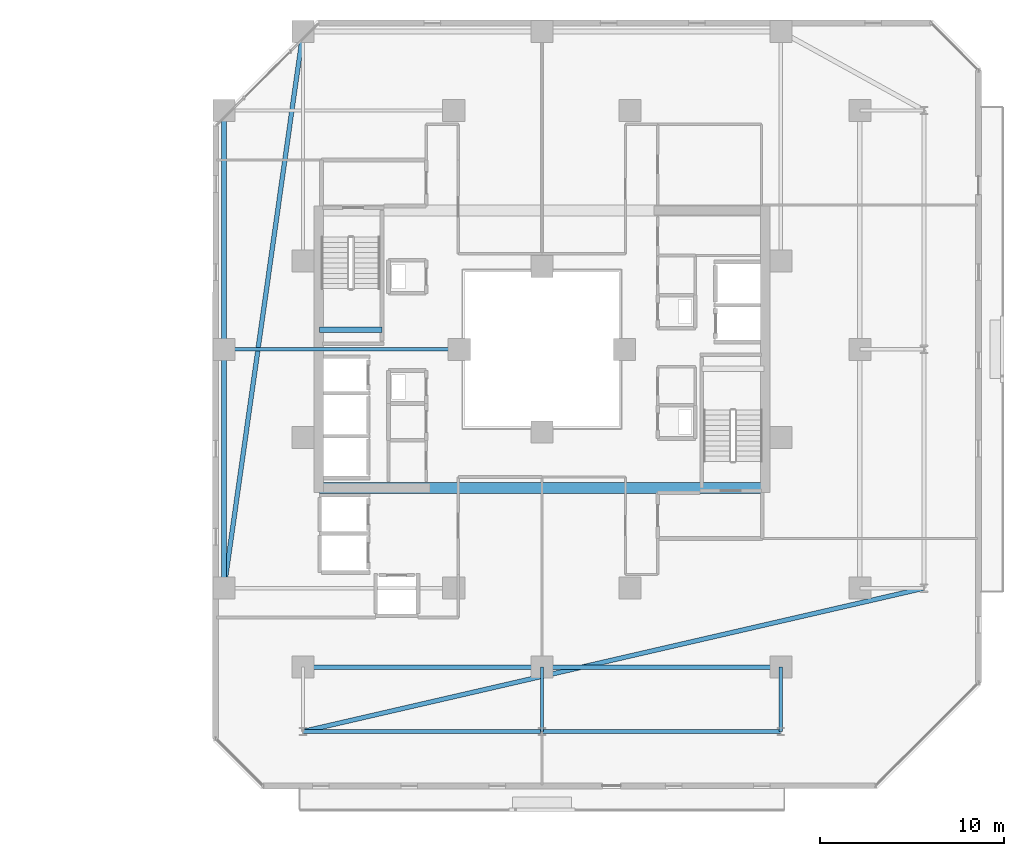
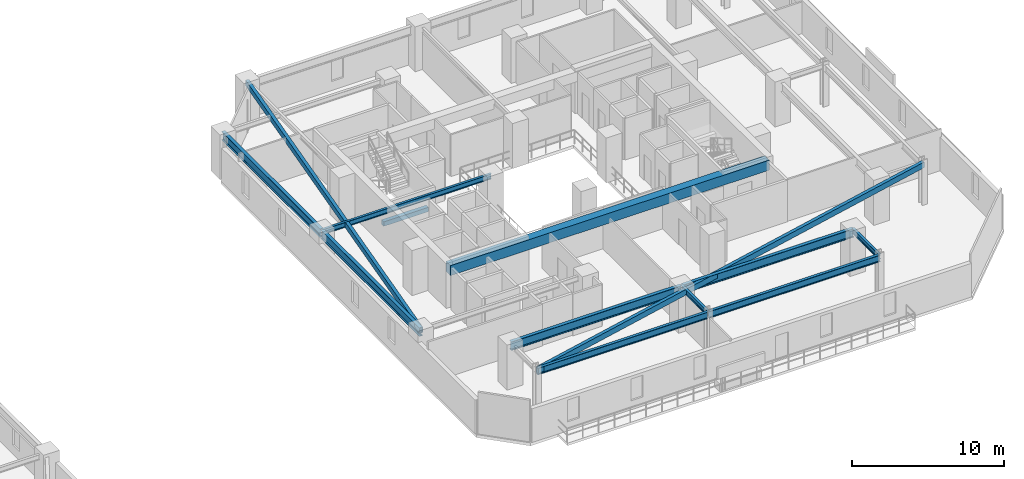
# One storey, part 11 of 31: 13 beams.
"""IFC4 building model written with IfcOpenShell, lengths in metres."""

from ifc_helpers import new_model, si_unit, direction, frame, origin, origin_2d, place, context, subcontext, project, spatial, rectangle, hollow_rectangle, i_section, extrude, material, material_profile, profile_set, type_object, element, save


model = new_model("IFC4")

# Units and contexts
model_context = context("Model", 3, precision=1e-05, world=origin(), true_north=direction((0.0, 1.0)))
body_context = subcontext(model_context, "Body", "Model", "MODEL_VIEW")
ifc_project = project(units=[si_unit("LENGTHUNIT", "METRE"), si_unit("AREAUNIT", "SQUARE_METRE"), si_unit("VOLUMEUNIT", "CUBIC_METRE"), si_unit("PLANEANGLEUNIT", "RADIAN"), si_unit("MASSUNIT", "GRAM", prefix="KILO")], contexts=[model_context])

# Site, building, storey
site_placement = place(None, origin())
site = spatial("IfcSite", under=ifc_project, at=site_placement, CompositionType="ELEMENT")
building_placement = place(site_placement, origin())
building = spatial("IfcBuilding", under=site, at=building_placement, Name="Thornwick Lancets Civic Towers", CompositionType="ELEMENT")
storey_placement = place(building_placement, frame((0.0, 0.0, 126.89990234375)))
storey = spatial("IfcBuildingStorey", under=building, at=storey_placement, Name="L33", CompositionType="ELEMENT", Elevation=126.89990234375)

# Beams
ifc_material_1 = material(Name="Concrete C60/75", Category="concrete")
ifc_material_profile_1 = material_profile(ifc_material_1, rectangle(XDim=0.60009765625, YDim=0.800048828125, at=origin_2d()), Name="RC 600x800")
ifc_profile_set_1 = profile_set([ifc_material_profile_1], Name="Concrete C60/75")
beam_type_1 = type_object("IfcBeamType", Name="BM_COUP_RC800", PredefinedType="BEAM", material=ifc_profile_set_1)
beam_1_placement = place(storey_placement, frame((76.39990234375, 19.449951171875, 2.960205078125), z_axis=(1.0, 0.0, 0.0), x_axis=(0.0, 1.0, 0.0)))
element("IfcBeam", 1, at=beam_1_placement, inside=storey, type_object=beam_type_1, Name="CB-L33-B2", PredefinedType="BEAM", context=body_context, shape_type="SweptSolid", body=[
    extrude(rectangle(XDim=0.60009765625, YDim=0.800048828125, at=origin_2d()), origin(), (0.0, 0.0, 1.0), 24.2001953125),
])
ifc_material_2 = material(Name="Steel S355JR", Category="steel")
ifc_material_profile_2 = material_profile(ifc_material_2, i_section(OverallWidth=0.2119140625, OverallDepth=0.54443359375, WebThickness=0.0126953125, FlangeThickness=0.021240234375, FilletRadius=0.0126953125, at=origin_2d()), Name="UKB 533x210x122")
ifc_profile_set_2 = profile_set([ifc_material_profile_2], Name="Steel S355JR")
beam_type_2 = type_object("IfcBeamType", Name="BM_EDGE_533_122", PredefinedType="SPANDREL", material=ifc_profile_set_2)
beam_2_placement = place(storey_placement, frame((101.5, 6.199951171875, 3.087890625), z_axis=(-1.0, 0.0, 0.0), x_axis=(0.0, -1.0, 0.0)))
element("IfcBeam", 2, at=beam_2_placement, inside=storey, type_object=beam_type_2, Name="BM-EDGE-L33-B-S3-1", PredefinedType="SPANDREL", context=body_context, shape_type="SweptSolid", body=[
    extrude(i_section(OverallWidth=0.2119140625, OverallDepth=0.54443359375, WebThickness=0.0126953125, FlangeThickness=0.021240234375, FilletRadius=0.0126953125, at=origin_2d()), origin(), (0.0, 0.0, 1.0), 13.0),
])
beam_3_placement = place(storey_placement, frame((88.419921875, 6.199951171875, 3.087890625), z_axis=(-1.0, 0.0, 0.0), x_axis=(0.0, -1.0, 0.0)))
element("IfcBeam", 3, at=beam_3_placement, inside=storey, type_object=beam_type_2, Name="BM-EDGE-L33-B-S3-2", PredefinedType="SPANDREL", context=body_context, shape_type="SweptSolid", body=[
    extrude(i_section(OverallWidth=0.2119140625, OverallDepth=0.54443359375, WebThickness=0.0126953125, FlangeThickness=0.021240234375, FilletRadius=0.0126953125, at=origin_2d()), origin(), (0.0, 0.0, 1.0), 12.919921875),
])
ifc_material_profile_3 = material_profile(ifc_material_2, i_section(OverallWidth=0.255859375, OverallDepth=0.69287109375, WebThickness=0.014404296875, FlangeThickness=0.023681640625, FilletRadius=0.01513671875, at=origin_2d()), Name="UKB 686x254x170")
ifc_profile_set_3 = profile_set([ifc_material_profile_3], Name="Steel S355JR")
beam_type_3 = type_object("IfcBeamType", Name="BM_GIRD_686_170", PredefinedType="BEAM", material=ifc_profile_set_3)
beam_4_placement = place(storey_placement, frame((71.199951171875, 14.0, 3.013671875), z_axis=(0.0, 1.0, 0.0), x_axis=(-1.0, 0.0, 0.0)))
element("IfcBeam", 4, at=beam_4_placement, inside=storey, type_object=beam_type_3, Name="BM-SPINE-L33-B-6-7", PredefinedType="BEAM", context=body_context, shape_type="SweptSolid", body=[
    extrude(i_section(OverallWidth=0.255859375, OverallDepth=0.69287109375, WebThickness=0.014404296875, FlangeThickness=0.023681640625, FilletRadius=0.01513671875, at=origin_2d()), origin(), (0.0, 0.0, 1.0), 13.0),
])
beam_5_placement = place(storey_placement, frame((71.199951171875, 27.080078125, 3.013671875), z_axis=(0.0, 1.0, 0.0), x_axis=(-1.0, 0.0, 0.0)))
element("IfcBeam", 5, at=beam_5_placement, inside=storey, type_object=beam_type_3, Name="BM-SPINE-L33-B-7-8", PredefinedType="BEAM", context=body_context, shape_type="SweptSolid", body=[
    extrude(i_section(OverallWidth=0.255859375, OverallDepth=0.69287109375, WebThickness=0.014404296875, FlangeThickness=0.023681640625, FilletRadius=0.01513671875, at=origin_2d()), origin(), (0.0, 0.0, 1.0), 12.919921875),
])
beam_6_placement = place(storey_placement, frame((101.5, 9.699951171875, 3.013671875), z_axis=(-1.0, 0.0, 0.0), x_axis=(0.0, -1.0, 0.0)))
element("IfcBeam", 6, at=beam_6_placement, inside=storey, type_object=beam_type_3, Name="BM-SPINE-L33-B-9-10", PredefinedType="BEAM", context=body_context, shape_type="SweptSolid", body=[
    extrude(i_section(OverallWidth=0.255859375, OverallDepth=0.69287109375, WebThickness=0.014404296875, FlangeThickness=0.023681640625, FilletRadius=0.01513671875, at=origin_2d()), origin(), (0.0, 0.0, 1.0), 13.0),
])
beam_7_placement = place(storey_placement, frame((88.419921875, 9.699951171875, 3.013671875), z_axis=(-1.0, 0.0, 0.0), x_axis=(0.0, -1.0, 0.0)))
element("IfcBeam", 7, at=beam_7_placement, inside=storey, type_object=beam_type_3, Name="BM-SPINE-L33-B-10-11", PredefinedType="BEAM", context=body_context, shape_type="SweptSolid", body=[
    extrude(i_section(OverallWidth=0.255859375, OverallDepth=0.69287109375, WebThickness=0.014404296875, FlangeThickness=0.023681640625, FilletRadius=0.01513671875, at=origin_2d()), origin(), (0.0, 0.0, 1.0), 12.919921875),
])
ifc_material_profile_4 = material_profile(ifc_material_2, i_section(OverallWidth=0.179443359375, OverallDepth=0.412841796875, WebThickness=0.009521484375, FlangeThickness=0.01611328125, FilletRadius=0.01025390625, at=origin_2d()), Name="UKB 406x178x74")
ifc_profile_set_4 = profile_set([ifc_material_profile_4], Name="Steel S355JR")
beam_type_4 = type_object("IfcBeamType", Name="BM_JOIST_406_74", PredefinedType="JOIST", material=ifc_profile_set_4)
beam_8_placement = place(storey_placement, frame((84.0, 27.0, 3.15380859375), z_axis=(-1.0, 0.0, 0.0), x_axis=(0.0, -1.0, 0.0)))
element("IfcBeam", 8, at=beam_8_placement, inside=storey, type_object=beam_type_4, Name="BM-RADIN-L33-B08", PredefinedType="JOIST", context=body_context, shape_type="SweptSolid", body=[
    extrude(i_section(OverallWidth=0.179443359375, OverallDepth=0.412841796875, WebThickness=0.009521484375, FlangeThickness=0.01611328125, FilletRadius=0.01025390625, at=origin_2d()), origin(), (0.0, 0.0, 1.0), 12.800048828125),
])
for number, where, z_axis, x_axis, name in (
    (9, (101.5, 9.699951171875, 3.15380859375), (0.0, -1.0, 0.0), (1.0, 0.0, 0.0), "BM-RAD-L33-B10"),
    (10, (88.5, 9.699951171875, 3.15380859375), (0.0, -1.0, 0.0), (1.0, 0.0, 0.0), "BM-RAD-L33-B11"),
):
    element("IfcBeam", number, at=place(storey_placement, frame(where, z_axis=z_axis, x_axis=x_axis)), inside=storey, type_object=beam_type_4, Name=name, PredefinedType="JOIST", context=body_context, shape_type="SweptSolid", body=[
        extrude(i_section(OverallWidth=0.179443359375, OverallDepth=0.412841796875, WebThickness=0.009521484375, FlangeThickness=0.01611328125, FilletRadius=0.01025390625, at=origin_2d()), origin(), (0.0, 0.0, 1.0), 3.5),
    ])
ifc_material_profile_5 = material_profile(ifc_material_2, hollow_rectangle(XDim=0.25, YDim=0.449951171875, WallThickness=0.01611328125, at=origin_2d()), Name="RHS 450x250x16")
ifc_profile_set_5 = profile_set([ifc_material_profile_5], Name="Steel S355JR")
beam_type_5 = type_object("IfcBeamType", Name="BM_RING_RHS450", PredefinedType="BEAM", material=ifc_profile_set_5)
beam_9_placement = place(storey_placement, frame((75.5, 44.300048828125, 3.135009765625), z_axis=(-0.140507712682, -0.990079584012, 0.0), x_axis=(0.990079584012, -0.140507712682, 0.0)))
element("IfcBeam", 11, at=beam_9_placement, inside=storey, type_object=beam_type_5, Name="BM-CHAMF-L33-B-C1", PredefinedType="BEAM", context=body_context, shape_type="SweptSolid", body=[
    extrude(hollow_rectangle(XDim=0.25, YDim=0.449951171875, WallThickness=0.01611328125, at=origin_2d()), origin(), (0.0, 0.0, 1.0), 30.603759765625),
])
beam_10_placement = place(storey_placement, frame((75.5, 6.199951171875, 3.135009765625), z_axis=(0.974390958454, 0.224860534737, 0.0), x_axis=(-0.224860534737, 0.974390958454, 0.0)))
element("IfcBeam", 12, at=beam_10_placement, inside=storey, type_object=beam_type_5, Name="BM-CHAMF-L33-B-C3", PredefinedType="BEAM", context=body_context, shape_type="SweptSolid", body=[
    extrude(hollow_rectangle(XDim=0.25, YDim=0.449951171875, WallThickness=0.01611328125, at=origin_2d()), origin(), (0.0, 0.0, 1.0), 34.6884765625),
])
ifc_material_3 = material(Name="Concrete C40/50", Category="concrete")
ifc_material_profile_6 = material_profile(ifc_material_3, rectangle(XDim=0.300048828125, YDim=0.35009765625, at=origin_2d()), Name="RC 300x350")
ifc_profile_set_6 = profile_set([ifc_material_profile_6], Name="Concrete C40/50")
beam_type_6 = type_object("IfcBeamType", Name="BM_STAIR_LDG", PredefinedType="BEAM", material=ifc_profile_set_6)
beam_11_placement = place(storey_placement, frame((76.39990234375, 28.06494140625, 1.378173828125), z_axis=(1.0, 0.0, 0.0), x_axis=(0.0, 1.0, 0.0)))
element("IfcBeam", 13, at=beam_11_placement, inside=storey, type_object=beam_type_6, Name="L33 ST-B2 Landing Support Beam 1", PredefinedType="BEAM", context=body_context, shape_type="SweptSolid", body=[
    extrude(rectangle(XDim=0.300048828125, YDim=0.35009765625, at=origin_2d()), origin(), (0.0, 0.0, 1.0), 3.400146484375),
])

save(model, "model.ifc")
